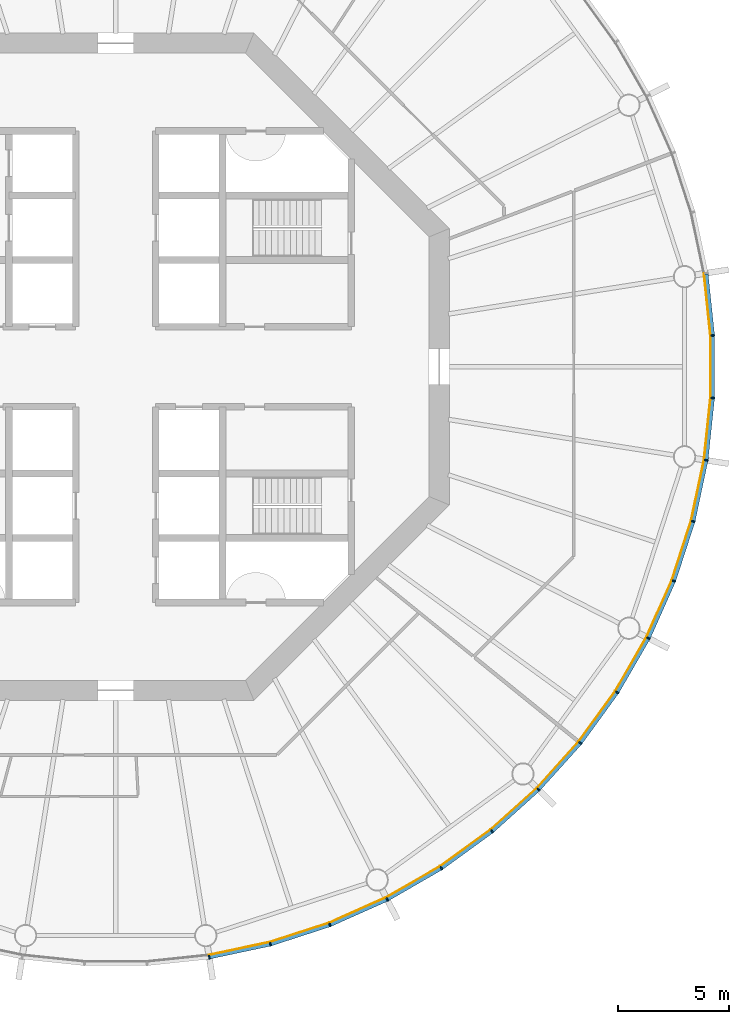
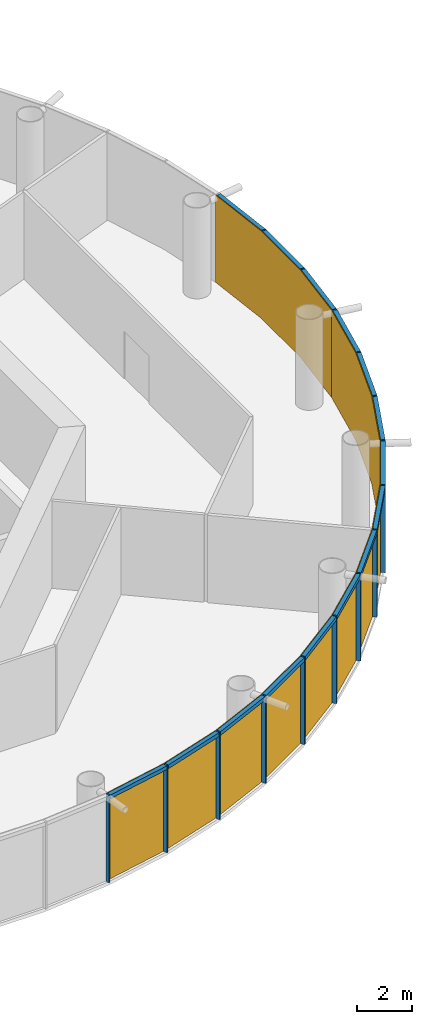
# One storey, part 8 of 12: 30 members, 5 curtain walls.
"""IFC4 building model written with IfcOpenShell, lengths in metres."""

from ifc_helpers import new_model, si_unit, direction, frame, origin, origin_2d, place, context, subcontext, project, spatial, polyline, rectangle, outline, extrude, material, layer, layer_set, material_profile, profile_set, type_object, element, aggregate, save


model = new_model("IFC4")

# Units and contexts
model_context = context("Model", 3, precision=1e-05, world=origin(), true_north=direction((0.0, 1.0)))
body_context = subcontext(model_context, "Body", "Model", "MODEL_VIEW")
ifc_project = project(units=[si_unit("LENGTHUNIT", "METRE"), si_unit("AREAUNIT", "SQUARE_METRE"), si_unit("VOLUMEUNIT", "CUBIC_METRE"), si_unit("PLANEANGLEUNIT", "RADIAN"), si_unit("MASSUNIT", "GRAM", prefix="KILO")], contexts=[model_context])

# Member
ifc_material_1 = material(Name="Anodised aluminium", Category="aluminium")
ifc_material_profile_1 = material_profile(ifc_material_1, rectangle(XDim=0.06005859375, YDim=0.169921875, at=origin_2d()), Name="Mullion 60 x 170 mm anodised aluminium")
ifc_profile_set_1 = profile_set([ifc_material_profile_1], Name="Anodised aluminium")
member_type_1 = type_object("IfcMemberType", Name="Mullion 60 x 170 mm anodised aluminium", PredefinedType="MULLION", material=ifc_profile_set_1)
site_placement = place(None, origin())
building_placement = place(site_placement, origin())
storey_placement = place(building_placement, frame((0.0, 0.0, 246.0)))
member_1_placement = place(storey_placement, frame((94.205810546875, 53.446044921875, 0.0), z_axis=(0.0, 0.0, 1.0), x_axis=(0.987688340595, 0.15643446504, 0.0)))
member_1 = element("IfcMember", 1, at=member_1_placement, type_object=member_type_1, Name="MULLION L56-45", PredefinedType="MULLION", context=body_context, shape_type="SweptSolid", body=[
    extrude(rectangle(XDim=0.06005859375, YDim=0.169921875, at=origin_2d()), origin(), (0.0, 0.0, 1.0), 3.85009765625),
])

member_2_placement = place(storey_placement, frame((96.958251953125, 54.031005859375, 0.0), z_axis=(0.0, 0.0, 1.0), x_axis=(0.965925826289, 0.258819045103, 0.0)))
member_2 = element("IfcMember", 2, at=member_2_placement, type_object=member_type_1, Name="MULLION L56-46", PredefinedType="MULLION", context=body_context, shape_type="SweptSolid", body=[
    extrude(rectangle(XDim=0.06005859375, YDim=0.169921875, at=origin_2d()), origin(), (0.0, 0.0, 1.0), 3.85009765625),
])

member_3_placement = place(storey_placement, frame((99.634765625, 54.900634765625, 0.0), z_axis=(0.0, 0.0, 1.0), x_axis=(0.933580426497, 0.358367949545, 0.0)))
member_3 = element("IfcMember", 3, at=member_3_placement, type_object=member_type_1, Name="MULLION L56-47", PredefinedType="MULLION", context=body_context, shape_type="SweptSolid", body=[
    extrude(rectangle(XDim=0.06005859375, YDim=0.169921875, at=origin_2d()), origin(), (0.0, 0.0, 1.0), 3.85009765625),
])

member_4_placement = place(storey_placement, frame((102.20556640625, 56.04541015625, 0.0), z_axis=(0.0, 0.0, 1.0), x_axis=(0.891006524188, 0.45399049974, 0.0)))
member_4 = element("IfcMember", 4, at=member_4_placement, type_object=member_type_1, Name="MULLION L56-48", PredefinedType="MULLION", context=body_context, shape_type="SweptSolid", body=[
    extrude(rectangle(XDim=0.06005859375, YDim=0.169921875, at=origin_2d()), origin(), (0.0, 0.0, 1.0), 3.85009765625),
])

member_5_placement = place(storey_placement, frame((104.642578125, 57.452392578125, 0.0), z_axis=(0.0, 0.0, 1.0), x_axis=(0.838670567945, 0.544639035015, 0.0)))
member_5 = element("IfcMember", 5, at=member_5_placement, type_object=member_type_1, Name="MULLION L56-49", PredefinedType="MULLION", context=body_context, shape_type="SweptSolid", body=[
    extrude(rectangle(XDim=0.06005859375, YDim=0.169921875, at=origin_2d()), origin(), (0.0, 0.0, 1.0), 3.85009765625),
])

member_6_placement = place(storey_placement, frame((106.919189453125, 59.1064453125, 0.0), z_axis=(0.0, 0.0, 1.0), x_axis=(0.777145961457, 0.62932039105, 0.0)))
member_6 = element("IfcMember", 6, at=member_6_placement, type_object=member_type_1, Name="MULLION L56-50", PredefinedType="MULLION", context=body_context, shape_type="SweptSolid", body=[
    extrude(rectangle(XDim=0.06005859375, YDim=0.169921875, at=origin_2d()), origin(), (0.0, 0.0, 1.0), 3.85009765625),
])

member_7_placement = place(storey_placement, frame((109.010498046875, 60.989501953125, 0.0), z_axis=(0.0, 0.0, 1.0), x_axis=(0.707106781187, 0.707106781187, 0.0)))
member_7 = element("IfcMember", 7, at=member_7_placement, type_object=member_type_1, Name="MULLION L56-51", PredefinedType="MULLION", context=body_context, shape_type="SweptSolid", body=[
    extrude(rectangle(XDim=0.06005859375, YDim=0.169921875, at=origin_2d()), origin(), (0.0, 0.0, 1.0), 3.85009765625),
])

member_8_placement = place(storey_placement, frame((110.8935546875, 63.080810546875, 0.0), z_axis=(0.0, 0.0, 1.0), x_axis=(0.62932039105, 0.777145961457, 0.0)))
member_8 = element("IfcMember", 8, at=member_8_placement, type_object=member_type_1, Name="MULLION L56-52", PredefinedType="MULLION", context=body_context, shape_type="SweptSolid", body=[
    extrude(rectangle(XDim=0.06005859375, YDim=0.169921875, at=origin_2d()), origin(), (0.0, 0.0, 1.0), 3.85009765625),
])

member_9_placement = place(storey_placement, frame((112.547607421875, 65.357421875, 0.0), z_axis=(0.0, 0.0, 1.0), x_axis=(0.544639035015, 0.838670567945, 0.0)))
member_9 = element("IfcMember", 9, at=member_9_placement, type_object=member_type_1, Name="MULLION L56-53", PredefinedType="MULLION", context=body_context, shape_type="SweptSolid", body=[
    extrude(rectangle(XDim=0.06005859375, YDim=0.169921875, at=origin_2d()), origin(), (0.0, 0.0, 1.0), 3.85009765625),
])

member_10_placement = place(storey_placement, frame((113.95458984375, 67.79443359375, 0.0), z_axis=(0.0, 0.0, 1.0), x_axis=(0.45399049974, 0.891006524188, 0.0)))
member_10 = element("IfcMember", 10, at=member_10_placement, type_object=member_type_1, Name="MULLION L56-54", PredefinedType="MULLION", context=body_context, shape_type="SweptSolid", body=[
    extrude(rectangle(XDim=0.06005859375, YDim=0.169921875, at=origin_2d()), origin(), (0.0, 0.0, 1.0), 3.85009765625),
])

member_11_placement = place(storey_placement, frame((115.099365234375, 70.365234375, 0.0), z_axis=(0.0, 0.0, 1.0), x_axis=(0.358367949545, 0.933580426497, 0.0)))
member_11 = element("IfcMember", 11, at=member_11_placement, type_object=member_type_1, Name="MULLION L56-55", PredefinedType="MULLION", context=body_context, shape_type="SweptSolid", body=[
    extrude(rectangle(XDim=0.06005859375, YDim=0.169921875, at=origin_2d()), origin(), (0.0, 0.0, 1.0), 3.85009765625),
])

member_12_placement = place(storey_placement, frame((115.968994140625, 73.041748046875, 0.0), z_axis=(0.0, 0.0, 1.0), x_axis=(0.258819045103, 0.965925826289, 0.0)))
member_12 = element("IfcMember", 12, at=member_12_placement, type_object=member_type_1, Name="MULLION L56-56", PredefinedType="MULLION", context=body_context, shape_type="SweptSolid", body=[
    extrude(rectangle(XDim=0.06005859375, YDim=0.169921875, at=origin_2d()), origin(), (0.0, 0.0, 1.0), 3.85009765625),
])

member_13_placement = place(storey_placement, frame((116.553955078125, 75.794189453125, 0.0), z_axis=(0.0, 0.0, 1.0), x_axis=(0.15643446504, 0.987688340595, 0.0)))
member_13 = element("IfcMember", 13, at=member_13_placement, type_object=member_type_1, Name="MULLION L56-57", PredefinedType="MULLION", context=body_context, shape_type="SweptSolid", body=[
    extrude(rectangle(XDim=0.06005859375, YDim=0.169921875, at=origin_2d()), origin(), (0.0, 0.0, 1.0), 3.85009765625),
])

member_14_placement = place(storey_placement, frame((116.84814453125, 78.593017578125, 0.0), z_axis=(0.0, 0.0, 1.0), x_axis=(0.052335956243, 0.998629534755, 0.0)))
member_14 = element("IfcMember", 14, at=member_14_placement, type_object=member_type_1, Name="MULLION L56-58", PredefinedType="MULLION", context=body_context, shape_type="SweptSolid", body=[
    extrude(rectangle(XDim=0.06005859375, YDim=0.169921875, at=origin_2d()), origin(), (0.0, 0.0, 1.0), 3.85009765625),
])

member_15_placement = place(storey_placement, frame((116.84814453125, 81.406982421875, 0.0), z_axis=(0.0, 0.0, 1.0), x_axis=(-0.052335956243, 0.998629534755, 0.0)))
member_15 = element("IfcMember", 15, at=member_15_placement, type_object=member_type_1, Name="MULLION L56-59", PredefinedType="MULLION", context=body_context, shape_type="SweptSolid", body=[
    extrude(rectangle(XDim=0.06005859375, YDim=0.169921875, at=origin_2d()), origin(), (0.0, 0.0, 1.0), 3.85009765625),
])

ifc_material_2 = material(Name="Anodised aluminium", Category="aluminium")
ifc_material_profile_2 = material_profile(ifc_material_2, rectangle(XDim=0.169921875, YDim=0.1650390625, at=origin_2d()), Name="Transom 165 x 170 mm anodised aluminium")
ifc_profile_set_2 = profile_set([ifc_material_profile_2], Name="Anodised aluminium")
member_type_2 = type_object("IfcMemberType", Name="Transom 165 x 170 mm anodised aluminium", PredefinedType="USERDEFINED", material=ifc_profile_set_2)
member_16_placement = place(storey_placement, frame((94.239501953125, 53.453125, 3.767578125), z_axis=(0.97814212115, 0.207937468562, 0.0), x_axis=(-0.207937468562, 0.97814212115, 0.0)))
member_16 = element("IfcMember", 16, at=member_16_placement, type_object=member_type_2, Name="TRANSOM L56-45", ObjectType="TRANSOM", PredefinedType="USERDEFINED", context=body_context, shape_type="SweptSolid", body=[
    extrude(rectangle(XDim=0.169921875, YDim=0.1650390625, at=origin_2d()), origin(), (0.0, 0.0, 1.0), 2.7451171875),
])

member_17_placement = place(storey_placement, frame((96.9912109375, 54.04150390625, 3.767578125), z_axis=(0.951048445774, 0.309041831781, 0.0), x_axis=(-0.309041831781, 0.951048445774, 0.0)))
member_17 = element("IfcMember", 17, at=member_17_placement, type_object=member_type_2, Name="TRANSOM L56-46", ObjectType="TRANSOM", PredefinedType="USERDEFINED", context=body_context, shape_type="SweptSolid", body=[
    extrude(rectangle(XDim=0.169921875, YDim=0.1650390625, at=origin_2d()), origin(), (0.0, 0.0, 1.0), 2.7451171875),
])

member_18_placement = place(storey_placement, frame((99.666259765625, 54.91455078125, 3.767578125), z_axis=(0.913525267704, 0.406781987391, 0.0), x_axis=(-0.406781987391, 0.913525267704, 0.0)))
member_18 = element("IfcMember", 18, at=member_18_placement, type_object=member_type_2, Name="TRANSOM L56-47", ObjectType="TRANSOM", PredefinedType="USERDEFINED", context=body_context, shape_type="SweptSolid", body=[
    extrude(rectangle(XDim=0.169921875, YDim=0.1650390625, at=origin_2d()), origin(), (0.0, 0.0, 1.0), 2.7451171875),
])

member_19_placement = place(storey_placement, frame((102.2353515625, 56.0625, 3.767578125), z_axis=(0.866034527326, 0.49998419723, 0.0), x_axis=(-0.49998419723, 0.866034527326, 0.0)))
member_19 = element("IfcMember", 19, at=member_19_placement, type_object=member_type_2, Name="TRANSOM L56-48", ObjectType="TRANSOM", PredefinedType="USERDEFINED", context=body_context, shape_type="SweptSolid", body=[
    extrude(rectangle(XDim=0.169921875, YDim=0.1650390625, at=origin_2d()), origin(), (0.0, 0.0, 1.0), 2.7451171875),
])

member_20_placement = place(storey_placement, frame((104.670654296875, 57.472412109375, 3.767578125), z_axis=(0.808959086484, 0.587864947412, 0.0), x_axis=(-0.587864947412, 0.808959086484, 0.0)))
member_20 = element("IfcMember", 20, at=member_20_placement, type_object=member_type_2, Name="TRANSOM L56-49", ObjectType="TRANSOM", PredefinedType="USERDEFINED", context=body_context, shape_type="SweptSolid", body=[
    extrude(rectangle(XDim=0.169921875, YDim=0.1650390625, at=origin_2d()), origin(), (0.0, 0.0, 1.0), 2.7451171875),
])

member_21_placement = place(storey_placement, frame((106.945068359375, 59.12939453125, 3.767578125), z_axis=(0.743134927907, 0.669141598561, 0.0), x_axis=(-0.669141598561, 0.743134927907, 0.0)))
member_21 = element("IfcMember", 21, at=member_21_placement, type_object=member_type_2, Name="TRANSOM L56-50", ObjectType="TRANSOM", PredefinedType="USERDEFINED", context=body_context, shape_type="SweptSolid", body=[
    extrude(rectangle(XDim=0.169921875, YDim=0.1650390625, at=origin_2d()), origin(), (0.0, 0.0, 1.0), 2.7451171875),
])

member_22_placement = place(storey_placement, frame((109.03369140625, 61.014892578125, 3.767578125), z_axis=(0.669141598561, 0.743134927907, 0.0), x_axis=(-0.743134927907, 0.669141598561, 0.0)))
member_22 = element("IfcMember", 22, at=member_22_placement, type_object=member_type_2, Name="TRANSOM L56-51", ObjectType="TRANSOM", PredefinedType="USERDEFINED", context=body_context, shape_type="SweptSolid", body=[
    extrude(rectangle(XDim=0.169921875, YDim=0.1650390625, at=origin_2d()), origin(), (0.0, 0.0, 1.0), 2.7451171875),
])

member_23_placement = place(storey_placement, frame((110.913818359375, 63.108642578125, 3.767578125), z_axis=(0.587864947412, 0.808959086484, 0.0), x_axis=(-0.808959086484, 0.587864947412, 0.0)))
member_23 = element("IfcMember", 23, at=member_23_placement, type_object=member_type_2, Name="TRANSOM L56-52", ObjectType="TRANSOM", PredefinedType="USERDEFINED", context=body_context, shape_type="SweptSolid", body=[
    extrude(rectangle(XDim=0.169921875, YDim=0.1650390625, at=origin_2d()), origin(), (0.0, 0.0, 1.0), 2.7451171875),
])

member_24_placement = place(storey_placement, frame((112.56494140625, 65.38720703125, 3.767578125), z_axis=(0.49998419723, 0.866034527326, 0.0), x_axis=(-0.866034527326, 0.49998419723, 0.0)))
member_24 = element("IfcMember", 24, at=member_24_placement, type_object=member_type_2, Name="TRANSOM L56-53", ObjectType="TRANSOM", PredefinedType="USERDEFINED", context=body_context, shape_type="SweptSolid", body=[
    extrude(rectangle(XDim=0.169921875, YDim=0.1650390625, at=origin_2d()), origin(), (0.0, 0.0, 1.0), 2.7451171875),
])

member_25_placement = place(storey_placement, frame((113.96875, 67.825927734375, 3.767578125), z_axis=(0.406781987391, 0.913525267704, 0.0), x_axis=(-0.913525267704, 0.406781987391, 0.0)))
member_25 = element("IfcMember", 25, at=member_25_placement, type_object=member_type_2, Name="TRANSOM L56-54", ObjectType="TRANSOM", PredefinedType="USERDEFINED", context=body_context, shape_type="SweptSolid", body=[
    extrude(rectangle(XDim=0.169921875, YDim=0.1650390625, at=origin_2d()), origin(), (0.0, 0.0, 1.0), 2.7451171875),
])

member_26_placement = place(storey_placement, frame((115.110107421875, 70.39794921875, 3.767578125), z_axis=(0.309041831781, 0.951048445774, 0.0), x_axis=(-0.951048445774, 0.309041831781, 0.0)))
member_26 = element("IfcMember", 26, at=member_26_placement, type_object=member_type_2, Name="TRANSOM L56-55", ObjectType="TRANSOM", PredefinedType="USERDEFINED", context=body_context, shape_type="SweptSolid", body=[
    extrude(rectangle(XDim=0.169921875, YDim=0.1650390625, at=origin_2d()), origin(), (0.0, 0.0, 1.0), 2.7451171875),
])

member_27_placement = place(storey_placement, frame((115.97607421875, 73.075439453125, 3.767578125), z_axis=(0.207937468562, 0.97814212115, 0.0), x_axis=(-0.97814212115, 0.207937468562, 0.0)))
member_27 = element("IfcMember", 27, at=member_27_placement, type_object=member_type_2, Name="TRANSOM L56-56", ObjectType="TRANSOM", PredefinedType="USERDEFINED", context=body_context, shape_type="SweptSolid", body=[
    extrude(rectangle(XDim=0.169921875, YDim=0.1650390625, at=origin_2d()), origin(), (0.0, 0.0, 1.0), 2.7451171875),
])

member_28_placement = place(storey_placement, frame((116.5576171875, 75.82861328125, 3.767578125), z_axis=(0.104592190102, 0.994515195344, 0.0), x_axis=(-0.994515195344, 0.104592190102, 0.0)))
member_28 = element("IfcMember", 28, at=member_28_placement, type_object=member_type_2, Name="TRANSOM L56-57", ObjectType="TRANSOM", PredefinedType="USERDEFINED", context=body_context, shape_type="SweptSolid", body=[
    extrude(rectangle(XDim=0.169921875, YDim=0.1650390625, at=origin_2d()), origin(), (0.0, 0.0, 1.0), 2.7451171875),
])

member_29_placement = place(storey_placement, frame((116.848388671875, 78.62744140625, 3.767578125), z_axis=(0.0, 1.0, 0.0), x_axis=(-1.0, 0.0, 0.0)))
member_29 = element("IfcMember", 29, at=member_29_placement, type_object=member_type_2, Name="TRANSOM L56-58", ObjectType="TRANSOM", PredefinedType="USERDEFINED", context=body_context, shape_type="SweptSolid", body=[
    extrude(rectangle(XDim=0.169921875, YDim=0.1650390625, at=origin_2d()), origin(), (0.0, 0.0, 1.0), 2.7451171875),
])

member_30_placement = place(storey_placement, frame((116.8447265625, 81.44140625, 3.767578125), z_axis=(-0.104592190102, 0.994515195344, 0.0), x_axis=(-0.994515195344, -0.104592190102, 0.0)))
member_30 = element("IfcMember", 30, at=member_30_placement, type_object=member_type_2, Name="TRANSOM L56-59", ObjectType="TRANSOM", PredefinedType="USERDEFINED", context=body_context, shape_type="SweptSolid", body=[
    extrude(rectangle(XDim=0.169921875, YDim=0.1650390625, at=origin_2d()), origin(), (0.0, 0.0, 1.0), 2.7451171875),
])

# Site, building, storey
site = spatial("IfcSite", under=ifc_project, at=site_placement, CompositionType="ELEMENT")
building = spatial("IfcBuilding", under=site, at=building_placement, Name="Entoto Ring Tower", CompositionType="ELEMENT")
storey = spatial("IfcBuildingStorey", under=building, at=storey_placement, Name="L56", CompositionType="ELEMENT", Elevation=246.0)

# Curtain wall
ifc_material_3 = material(Name="Clear low-iron glass", Category="glass")
ifc_layer = layer(ifc_material_3, 0.031982421875)
ifc_layer_set = layer_set([ifc_layer], Name="Clear low-iron glass")
curtain_wall_type = type_object("IfcCurtainWallType", Name="Curtain wall system CW4 glazing 32 mm", PredefinedType="NOTDEFINED", material=ifc_layer_set)
curtain_wall_1_placement = place(storey_placement, origin())
curtain_wall_1 = element("IfcCurtainWall", 31, at=curtain_wall_1_placement, inside=storey, type_object=curtain_wall_type, Name="CW4 L56-16", PredefinedType="NOTDEFINED", context=body_context, shape_type="SweptSolid", body=[
    extrude(outline(polyline([(94.1923828125, 53.530029296875), (96.936279296875, 54.11328125), (99.604248046875, 54.97998046875), (102.1669921875, 56.12109375), (102.15234375, 56.149658203125), (99.5927734375, 55.010009765625), (96.927978515625, 54.14404296875), (94.1875, 53.5615234375), (94.1923828125, 53.530029296875)])), origin(), (0.0, 0.0, 1.0), 3.85009765625),
])

aggregate(curtain_wall_1, [member_1, member_2, member_3, member_16, member_17, member_18])

curtain_wall_2_placement = place(storey_placement, origin())
curtain_wall_2 = element("IfcCurtainWall", 32, at=curtain_wall_2_placement, inside=storey, type_object=curtain_wall_type, Name="CW4 L56-17", PredefinedType="NOTDEFINED", context=body_context, shape_type="SweptSolid", body=[
    extrude(outline(polyline([(102.1669921875, 56.12109375), (104.596435546875, 57.523681640625), (106.86572265625, 59.172607421875), (108.950439453125, 61.049560546875), (108.927734375, 61.072265625), (106.845703125, 59.197509765625), (104.578857421875, 57.550537109375), (102.15234375, 56.149658203125), (102.1669921875, 56.12109375)])), origin(), (0.0, 0.0, 1.0), 3.85009765625),
])

aggregate(curtain_wall_2, [member_4, member_5, member_6, member_19, member_20, member_21])

curtain_wall_3_placement = place(storey_placement, origin())
curtain_wall_3 = element("IfcCurtainWall", 33, at=curtain_wall_3_placement, inside=storey, type_object=curtain_wall_type, Name="CW4 L56-18", PredefinedType="NOTDEFINED", context=body_context, shape_type="SweptSolid", body=[
    extrude(outline(polyline([(108.950439453125, 61.049560546875), (110.827392578125, 63.13427734375), (112.476318359375, 65.403564453125), (113.87890625, 67.8330078125), (113.850341796875, 67.84765625), (112.449462890625, 65.421142578125), (110.802490234375, 63.154296875), (108.927734375, 61.072265625), (108.950439453125, 61.049560546875)])), origin(), (0.0, 0.0, 1.0), 3.85009765625),
])

aggregate(curtain_wall_3, [member_7, member_8, member_9, member_22, member_23, member_24])

curtain_wall_4_placement = place(storey_placement, origin())
curtain_wall_4 = element("IfcCurtainWall", 34, at=curtain_wall_4_placement, inside=storey, type_object=curtain_wall_type, Name="CW4 L56-19", PredefinedType="NOTDEFINED", context=body_context, shape_type="SweptSolid", body=[
    extrude(outline(polyline([(113.87890625, 67.8330078125), (115.02001953125, 70.395751953125), (115.88671875, 73.063720703125), (116.469970703125, 75.8076171875), (116.4384765625, 75.8125), (115.85595703125, 73.072021484375), (114.989990234375, 70.4072265625), (113.850341796875, 67.84765625), (113.87890625, 67.8330078125)])), origin(), (0.0, 0.0, 1.0), 3.85009765625),
])

aggregate(curtain_wall_4, [member_10, member_11, member_12, member_25, member_26, member_27])

curtain_wall_5_placement = place(storey_placement, origin())
curtain_wall_5 = element("IfcCurtainWall", 35, at=curtain_wall_5_placement, inside=storey, type_object=curtain_wall_type, Name="CW4 L56-20", PredefinedType="NOTDEFINED", context=body_context, shape_type="SweptSolid", body=[
    extrude(outline(polyline([(116.469970703125, 75.8076171875), (116.76318359375, 78.597412109375), (116.76318359375, 81.402587890625), (116.469970703125, 84.1923828125), (116.4384765625, 84.1875), (116.731201171875, 81.40087890625), (116.731201171875, 78.59912109375), (116.4384765625, 75.8125), (116.469970703125, 75.8076171875)])), origin(), (0.0, 0.0, 1.0), 3.85009765625),
])

aggregate(curtain_wall_5, [member_13, member_14, member_15, member_28, member_29, member_30])

save(model, "model.ifc")
